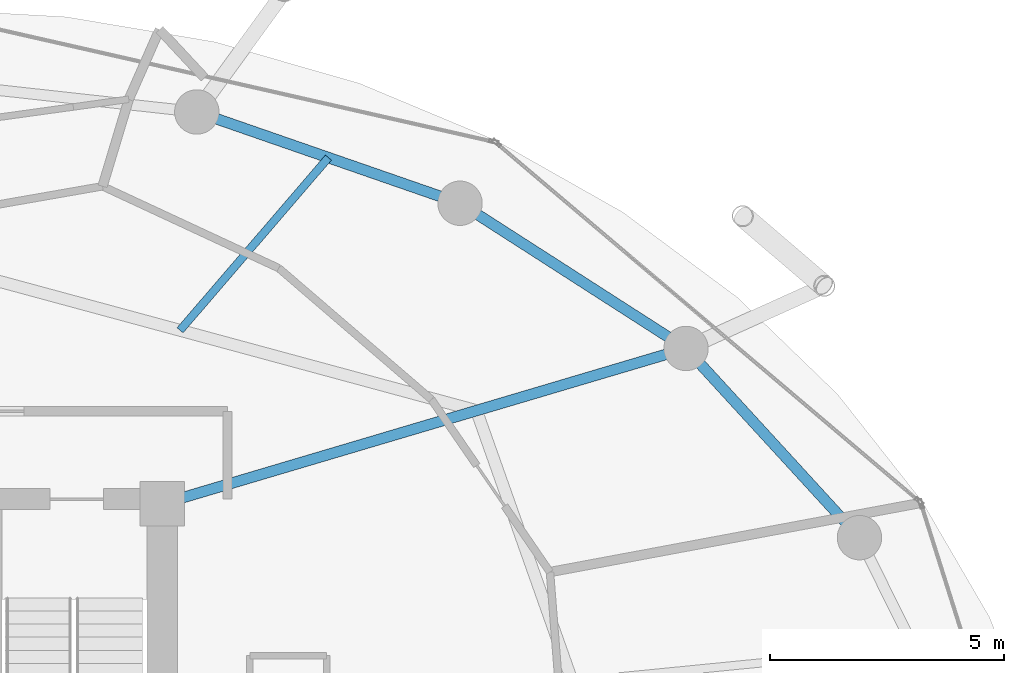
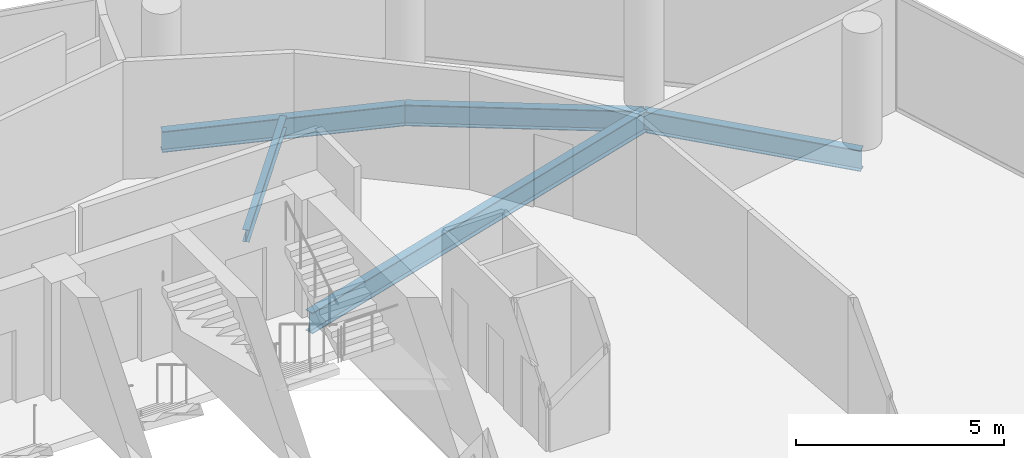
# One storey, part 18 of 26: 5 beams.
"""IFC4 building model written with IfcOpenShell, lengths in metres."""

from ifc_helpers import new_model, si_unit, direction, frame, origin, origin_2d, place, context, subcontext, project, spatial, i_section, extrude, material, material_profile, profile_set, type_object, element, save


model = new_model("IFC4")

# Units and contexts
model_context = context("Model", 3, precision=1e-05, world=origin(), true_north=direction((0.0, 1.0)))
body_context = subcontext(model_context, "Body", "Model", "MODEL_VIEW")
ifc_project = project(units=[si_unit("LENGTHUNIT", "METRE"), si_unit("AREAUNIT", "SQUARE_METRE"), si_unit("VOLUMEUNIT", "CUBIC_METRE"), si_unit("PLANEANGLEUNIT", "RADIAN"), si_unit("MASSUNIT", "GRAM", prefix="KILO")], contexts=[model_context])

# Site, building, storey
site_placement = place(None, origin())
site = spatial("IfcSite", under=ifc_project, at=site_placement, CompositionType="ELEMENT")
building_placement = place(site_placement, origin())
building = spatial("IfcBuilding", under=site, at=building_placement, Name="Nuhasar Tower", CompositionType="ELEMENT")
storey_placement = place(building_placement, frame((0.0, 0.0, 166.35009765625)))
storey = spatial("IfcBuildingStorey", under=building, at=storey_placement, Name="L40", CompositionType="ELEMENT", Elevation=166.35009765625)

# Beams
ifc_material = material(Name="Steel S355", Category="steel")
ifc_material_profile_1 = material_profile(ifc_material, i_section(OverallWidth=0.1708984375, OverallDepth=0.35205078125, WebThickness=0.0068359375, FlangeThickness=0.009765625, at=origin_2d()), Name="W14X30")
ifc_profile_set_1 = profile_set([ifc_material_profile_1], Name="Steel S355")
beam_type_1 = type_object("IfcBeamType", Name="BM-JST-W14X30", PredefinedType="JOIST", material=ifc_profile_set_1)
beam_1_placement = place(storey_placement, frame((44.68408203125, 41.011962890625, -0.426025390625), z_axis=(0.651690621509, 0.758484893612, 0.0), x_axis=(-0.758484893612, 0.651690621509, 0.0)))
element("IfcBeam", 1, at=beam_1_placement, inside=storey, type_object=beam_type_1, Name="L40 Secondary Floor Joist 05", PredefinedType="JOIST", context=body_context, shape_type="SweptSolid", body=[
    extrude(i_section(OverallWidth=0.1708984375, OverallDepth=0.35205078125, WebThickness=0.0068359375, FlangeThickness=0.009765625, at=origin_2d()), origin(), (0.0, 0.0, 1.0), 4.87158203125),
])
ifc_material_profile_2 = material_profile(ifc_material, i_section(OverallWidth=0.22900390625, OverallDepth=0.612060546875, WebThickness=0.011962890625, FlangeThickness=0.01953125, at=origin_2d()), Name="W24X84")
ifc_profile_set_2 = profile_set([ifc_material_profile_2], Name="Steel S355")
beam_type_2 = type_object("IfcBeamType", Name="BM-RAD-W24X84", PredefinedType="BEAM", material=ifc_profile_set_2)
beam_2_placement = place(storey_placement, frame((44.300048828125, 37.300048828125, -0.55615234375), z_axis=(0.958746492721, 0.284262489076, 0.0), x_axis=(-0.284262489076, 0.958746492721, 0.0)))
element("IfcBeam", 2, at=beam_2_placement, inside=storey, type_object=beam_type_2, Name="L40 Radial Floor Girder 05", PredefinedType="BEAM", context=body_context, shape_type="SweptSolid", body=[
    extrude(i_section(OverallWidth=0.22900390625, OverallDepth=0.612060546875, WebThickness=0.011962890625, FlangeThickness=0.01953125, at=origin_2d()), origin(), (0.0, 0.0, 1.0), 11.693359375),
])
ifc_material_profile_3 = material_profile(ifc_material, i_section(OverallWidth=0.22998046875, OverallDepth=0.616943359375, WebThickness=0.01318359375, FlangeThickness=0.022216796875, at=origin_2d()), Name="W24X94")
ifc_profile_set_3 = profile_set([ifc_material_profile_3], Name="Steel S355")
beam_type_3 = type_object("IfcBeamType", Name="BM-RING-W24X94", PredefinedType="SPANDREL", material=ifc_profile_set_3)
beam_3_placement = place(storey_placement, frame((59.221923828125, 36.574951171875, -0.55908203125), z_axis=(-0.675654174897, 0.737218716491, 0.0), x_axis=(-0.737218716491, -0.675654174897, 0.0)))
element("IfcBeam", 3, at=beam_3_placement, inside=storey, type_object=beam_type_3, Name="L40 Perimeter Ring Spandrel 03", PredefinedType="SPANDREL", context=body_context, shape_type="SweptSolid", body=[
    extrude(i_section(OverallWidth=0.22998046875, OverallDepth=0.616943359375, WebThickness=0.01318359375, FlangeThickness=0.022216796875, at=origin_2d()), origin(), (0.0, 0.0, 1.0), 5.492431640625),
])
beam_4_placement = place(storey_placement, frame((55.510986328125, 40.6240234375, -0.55908203125), z_axis=(-0.841327486207, 0.540525726448, 0.0), x_axis=(-0.540525726448, -0.841327486207, 0.0)))
element("IfcBeam", 4, at=beam_4_placement, inside=storey, type_object=beam_type_3, Name="L40 Perimeter Ring Spandrel 04", PredefinedType="SPANDREL", context=body_context, shape_type="SweptSolid", body=[
    extrude(i_section(OverallWidth=0.22998046875, OverallDepth=0.616943359375, WebThickness=0.01318359375, FlangeThickness=0.022216796875, at=origin_2d()), origin(), (0.0, 0.0, 1.0), 5.748046875),
])
beam_5_placement = place(storey_placement, frame((50.675048828125, 43.73095703125, -0.55908203125), z_axis=(-0.944801380051, 0.327643636066, 0.0), x_axis=(-0.327643636066, -0.944801380051, 0.0)))
element("IfcBeam", 5, at=beam_5_placement, inside=storey, type_object=beam_type_3, Name="L40 Perimeter Ring Spandrel 05", PredefinedType="SPANDREL", context=body_context, shape_type="SweptSolid", body=[
    extrude(i_section(OverallWidth=0.22998046875, OverallDepth=0.616943359375, WebThickness=0.01318359375, FlangeThickness=0.022216796875, at=origin_2d()), origin(), (0.0, 0.0, 1.0), 5.961181640625),
])

save(model, "model.ifc")
